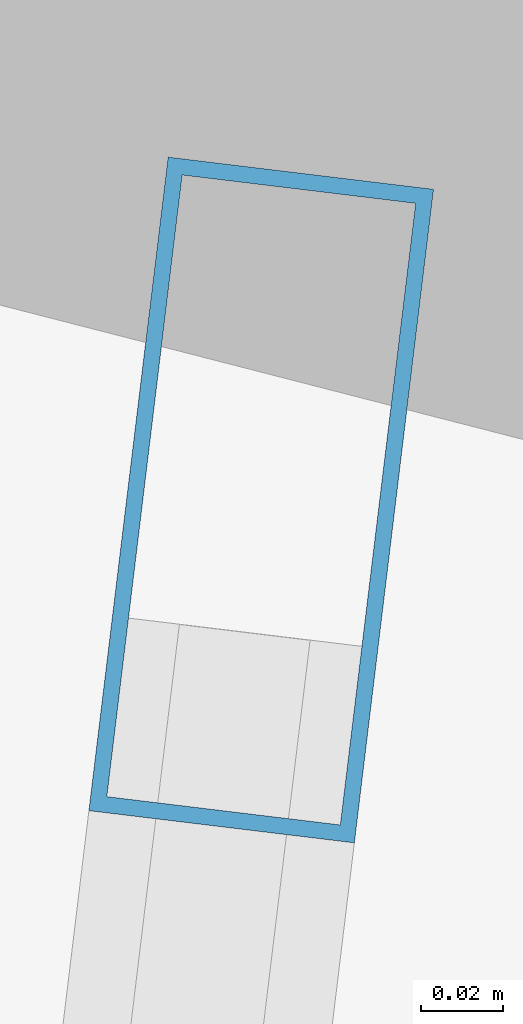
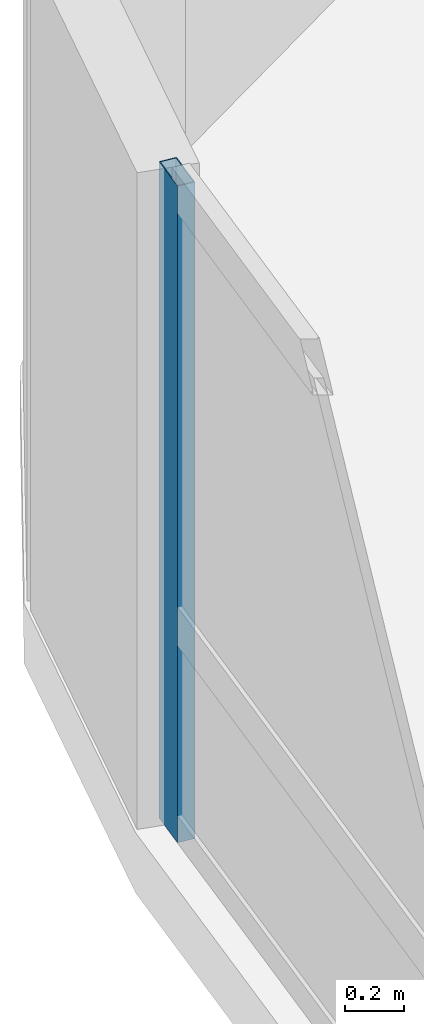
# One storey, part 12 of 25: 1 member, 1 element without a shape of its own.
"""IFC4 building model written with IfcOpenShell, lengths in metres."""

from ifc_helpers import new_model, si_unit, direction, frame, origin, origin_2d, place, context, subcontext, project, spatial, hollow_rectangle, extrude, material, layer, layer_set, material_profile, profile_set, type_object, element, aggregate, save


model = new_model("IFC4")

# Units and contexts
model_context = context("Model", 3, precision=1e-05, world=origin(), true_north=direction((0.0, 1.0)))
body_context = subcontext(model_context, "Body", "Model", "MODEL_VIEW")
ifc_project = project(units=[si_unit("LENGTHUNIT", "METRE"), si_unit("AREAUNIT", "SQUARE_METRE"), si_unit("VOLUMEUNIT", "CUBIC_METRE"), si_unit("PLANEANGLEUNIT", "RADIAN"), si_unit("MASSUNIT", "GRAM", prefix="KILO")], contexts=[model_context])

# Site, building, storey
site_placement = place(None, origin())
site = spatial("IfcSite", under=ifc_project, at=site_placement, CompositionType="ELEMENT")
building_placement = place(site_placement, origin())
building = spatial("IfcBuilding", under=site, at=building_placement, Name="Varnelok Gate Tower", CompositionType="ELEMENT")
storey_placement = place(building_placement, frame((0.0, 0.0, 140.199951171875)))
storey = spatial("IfcBuildingStorey", under=building, at=storey_placement, Name="L35", CompositionType="ELEMENT", Elevation=140.199951171875)

# Curtain wall, member
ifc_material = material(Name="Anodized Aluminum Alloy 6063-T6", Category="aluminium")
ifc_layer = layer(ifc_material, 0.179931640625)
ifc_layer_set = layer_set([ifc_layer], Name="Anodized Aluminum Alloy 6063-T6")
curtain_wall_type = type_object("IfcCurtainWallType", Name="CW3-HOTEL-VISION", PredefinedType="USERDEFINED", material=ifc_layer_set)
curtain_wall_placement = place(storey_placement, origin())
curtain_wall = element("IfcCurtainWall", 1, at=curtain_wall_placement, inside=storey, type_object=curtain_wall_type, Name="L35 West End Vision Curtain Wall", ObjectType="UNITISED CURTAIN WALL", PredefinedType="USERDEFINED")
ifc_material_profile = material_profile(ifc_material, hollow_rectangle(XDim=0.06494140625, YDim=0.159912109375, WallThickness=0.00390625, at=origin_2d()), Name="ALU160X65X4")
ifc_profile_set = profile_set([ifc_material_profile], Name="Anodized Aluminum Alloy 6063-T6")
member_type = type_object("IfcMemberType", Name="CW-MULL-160", PredefinedType="MULLION", material=ifc_profile_set)
member_placement = place(storey_placement, frame((4.57177734375, 47.596923828125, 0.0), z_axis=(0.0, 0.0, 1.0), x_axis=(-0.99273188146, 0.120347046212, 0.0)))
member = element("IfcMember", 2, at=member_placement, type_object=member_type, Name="CW3 mullion 6", PredefinedType="MULLION", context=body_context, shape_type="SweptSolid", body=[
    extrude(hollow_rectangle(XDim=0.06494140625, YDim=0.159912109375, WallThickness=0.00390625, at=origin_2d()), origin(), (0.0, 0.0, 1.0), 2.72998046875),
])
aggregate(curtain_wall, [member])

save(model, "model.ifc")
